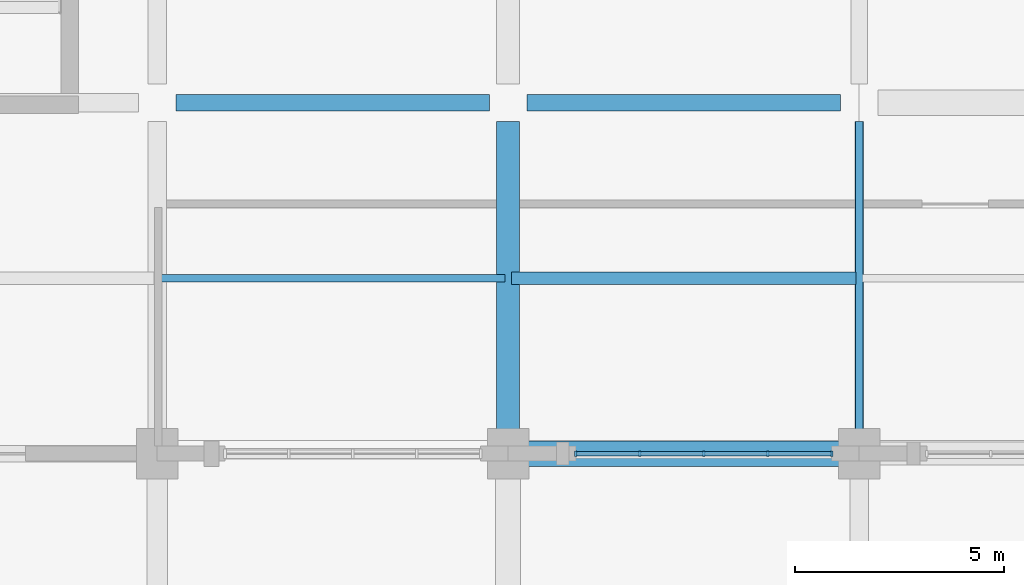
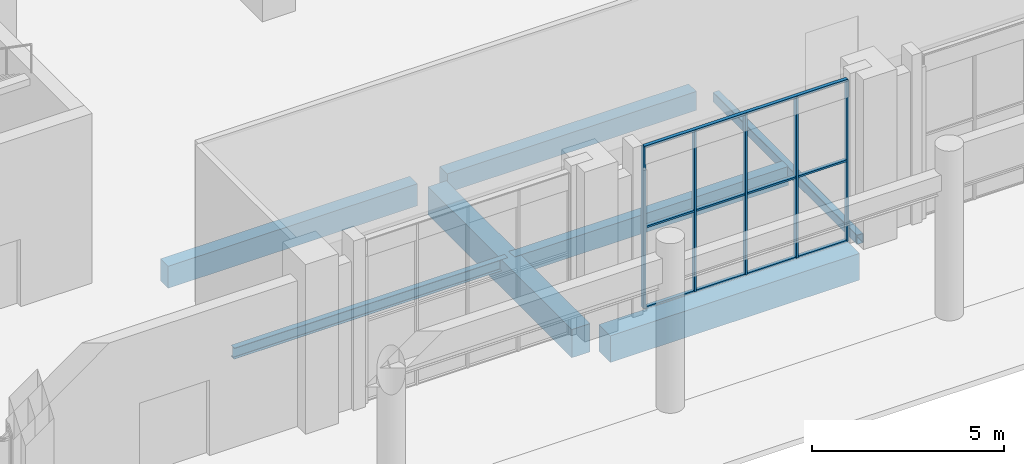
# One storey, part 31 of 82: 8 members, 7 beams, 1 element without a shape of its own.
"""IFC4 building model written with IfcOpenShell, lengths in metres."""

from ifc_helpers import new_model, si_unit, derived_unit, direction, frame, origin, origin_2d, place, context, subcontext, project, spatial, rectangle, hollow_rectangle, i_section, extrude, material, material_profile, profile_set, type_object, element, aggregate, save


model = new_model("IFC4")

# Units and contexts
model_context = context("Model", 3, precision=1e-05, world=origin(), true_north=direction((0.0, 1.0)))
body_context = subcontext(model_context, "Body", "Model", "MODEL_VIEW")
ifc_project = project(units=[si_unit("LENGTHUNIT", "METRE"), si_unit("AREAUNIT", "SQUARE_METRE"), si_unit("VOLUMEUNIT", "CUBIC_METRE"), si_unit("PLANEANGLEUNIT", "RADIAN"), si_unit("MASSUNIT", "GRAM", prefix="KILO"), derived_unit("THERMALTRANSMITTANCEUNIT", [(si_unit("POWERUNIT", "WATT"), 1), (si_unit("LENGTHUNIT", "METRE"), -2), (si_unit("THERMODYNAMICTEMPERATUREUNIT", "KELVIN"), -1)])], contexts=[model_context])

# Site, building, storey
site_placement = place(None, origin())
site = spatial("IfcSite", under=ifc_project, at=site_placement, CompositionType="ELEMENT")
building_placement = place(site_placement, origin())
building = spatial("IfcBuilding", under=site, at=building_placement, Name="Barrovel Congress Hotel", CompositionType="ELEMENT")
storey_placement = place(building_placement, origin())
storey = spatial("IfcBuildingStorey", under=building, at=storey_placement, Name="L00", CompositionType="ELEMENT", Elevation=0.0)

# Beams
ifc_material_1 = material(Name="Concrete C40", Category="concrete")
ifc_material_profile_1 = material_profile(ifc_material_1, rectangle(XDim=0.300048828125, YDim=0.60009765625, at=origin_2d()), Name="RC300x600")
ifc_profile_set_1 = profile_set([ifc_material_profile_1], Name="Concrete C40")
beam_type_1 = type_object("IfcBeamType", Name="BM-RC300x600", PredefinedType="JOIST", material=ifc_profile_set_1)
beam_1_placement = place(storey_placement, frame((117.679931640625, 8.39990234375, -0.6201171875), z_axis=(1.0, 0.0, 0.0), x_axis=(0.0, 1.0, 0.0)))
element("IfcBeam", 1, at=beam_1_placement, inside=storey, type_object=beam_type_1, Name="JST:L00:117.6:8.4", PredefinedType="JOIST", context=body_context, shape_type="SweptSolid", body=[
    extrude(rectangle(XDim=0.300048828125, YDim=0.60009765625, at=origin_2d()), origin(), (0.0, 0.0, 1.0), 8.239990234375),
])
ifc_material_profile_2 = material_profile(ifc_material_1, rectangle(XDim=0.39990234375, YDim=0.60009765625, at=origin_2d()), Name="RC400x600")
ifc_profile_set_2 = profile_set([ifc_material_profile_2], Name="Concrete C40")
beam_type_2 = type_object("IfcBeamType", Name="BM-RC400x600", PredefinedType="BEAM", material=ifc_profile_set_2)
beam_2_placement = place(storey_placement, frame((118.050048828125, 12.60009765625, -0.6201171875), z_axis=(1.0, 0.0, 0.0), x_axis=(0.0, 1.0, 0.0)))
element("IfcBeam", 2, at=beam_2_placement, inside=storey, type_object=beam_type_2, Name="BMX:L00:12.6:117.6-126.0", PredefinedType="BEAM", context=body_context, shape_type="SweptSolid", body=[
    extrude(rectangle(XDim=0.39990234375, YDim=0.60009765625, at=origin_2d()), origin(), (0.0, 0.0, 1.0), 7.5),
])
ifc_material_profile_3 = material_profile(ifc_material_1, rectangle(XDim=0.39990234375, YDim=0.699951171875, at=origin_2d()), Name="RC400x700")
ifc_profile_set_3 = profile_set([ifc_material_profile_3], Name="Concrete C40")
beam_type_3 = type_object("IfcBeamType", Name="BM-RC400x700", PredefinedType="BEAM", material=ifc_profile_set_3)
beam_3_placement = place(storey_placement, frame((109.64990234375, 12.60009765625, -0.669921875), z_axis=(1.0, 0.0, 0.0), x_axis=(0.0, 1.0, 0.0)))
element("IfcBeam", 3, at=beam_3_placement, inside=storey, type_object=beam_type_3, Name="BMX:L00:12.6:109.2-117.6", PredefinedType="BEAM", context=body_context, shape_type="SweptSolid", body=[
    extrude(rectangle(XDim=0.39990234375, YDim=0.699951171875, at=origin_2d()), origin(), (0.0, 0.0, 1.0), 7.5),
])
ifc_material_profile_4 = material_profile(ifc_material_1, rectangle(XDim=0.550048828125, YDim=0.89990234375, at=origin_2d()), Name="RC550x900")
ifc_profile_set_4 = profile_set([ifc_material_profile_4], Name="Concrete C40")
beam_type_4 = type_object("IfcBeamType", Name="BM-RC550x900", PredefinedType="BEAM", material=ifc_profile_set_4)
beam_4_placement = place(storey_placement, frame((117.60009765625, 4.64990234375, -0.77001953125), z_axis=(0.0, 1.0, 0.0), x_axis=(-1.0, 0.0, 0.0)))
element("IfcBeam", 4, at=beam_4_placement, inside=storey, type_object=beam_type_4, Name="BMY:L00:117.6:4.2-12.6", PredefinedType="BEAM", context=body_context, shape_type="SweptSolid", body=[
    extrude(rectangle(XDim=0.550048828125, YDim=0.89990234375, at=origin_2d()), origin(), (0.0, 0.0, 1.0), 7.5),
])
ifc_material_profile_5 = material_profile(ifc_material_1, rectangle(XDim=0.60009765625, YDim=0.85009765625, at=origin_2d()), Name="RC600x850")
ifc_profile_set_5 = profile_set([ifc_material_profile_5], Name="Concrete C40")
beam_type_5 = type_object("IfcBeamType", Name="BM-RC600x850", PredefinedType="BEAM", material=ifc_profile_set_5)
beam_5_placement = place(storey_placement, frame((118.050048828125, 4.199951171875, -0.7451171875), z_axis=(1.0, 0.0, 0.0), x_axis=(0.0, 1.0, 0.0)))
element("IfcBeam", 5, at=beam_5_placement, inside=storey, type_object=beam_type_5, Name="BMX:L00:4.2:117.6-126.0", PredefinedType="BEAM", context=body_context, shape_type="SweptSolid", body=[
    extrude(rectangle(XDim=0.60009765625, YDim=0.85009765625, at=origin_2d()), origin(), (0.0, 0.0, 1.0), 7.5),
])

# Curtain wall, members
ifc_material_2 = material(Name="Anodised Aluminium Alloy 6063-T6", Category="aluminium")
curtain_wall_type = type_object("IfcCurtainWallType", Name="CW-ST-7200x4800", PredefinedType="USERDEFINED", material=ifc_material_2)
curtain_wall_placement = place(storey_placement, origin())
curtain_wall = element("IfcCurtainWall", 6, at=curtain_wall_placement, inside=storey, type_object=curtain_wall_type, Name="CW:L00:S:14", ObjectType="STICK CURTAIN WALL", PredefinedType="USERDEFINED")
ifc_material_profile_6 = material_profile(ifc_material_2, rectangle(XDim=0.06005859375, YDim=0.139892578125, at=origin_2d()), Name="AL-M60x140")
ifc_profile_set_6 = profile_set([ifc_material_profile_6], Name="Anodised Aluminium Alloy 6063-T6")
member_type_1 = type_object("IfcMemberType", Name="CWM-AL-M60x140", PredefinedType="MULLION", material=ifc_profile_set_6)
member_1_placement = place(storey_placement, frame((119.219970703125, 4.199951171875, 0.0), z_axis=(0.0, 0.0, 1.0), x_axis=(1.0, 0.0, 0.0)))
member_1 = element("IfcMember", 7, at=member_1_placement, type_object=member_type_1, Name="CW:L00:S:14:M0", PredefinedType="MULLION", context=body_context, shape_type="SweptSolid", body=[
    extrude(rectangle(XDim=0.06005859375, YDim=0.139892578125, at=origin_2d()), origin(), (0.0, 0.0, 1.0), 5.1201171875),
])
member_2_placement = place(storey_placement, frame((120.75, 4.199951171875, 0.0), z_axis=(0.0, 0.0, 1.0), x_axis=(1.0, 0.0, 0.0)))
member_2 = element("IfcMember", 8, at=member_2_placement, type_object=member_type_1, Name="CW:L00:S:14:M1", PredefinedType="MULLION", context=body_context, shape_type="SweptSolid", body=[
    extrude(rectangle(XDim=0.06005859375, YDim=0.139892578125, at=origin_2d()), origin(), (0.0, 0.0, 1.0), 5.1201171875),
])
member_3_placement = place(storey_placement, frame((122.280029296875, 4.199951171875, 0.0), z_axis=(0.0, 0.0, 1.0), x_axis=(1.0, 0.0, 0.0)))
member_3 = element("IfcMember", 9, at=member_3_placement, type_object=member_type_1, Name="CW:L00:S:14:M2", PredefinedType="MULLION", context=body_context, shape_type="SweptSolid", body=[
    extrude(rectangle(XDim=0.06005859375, YDim=0.139892578125, at=origin_2d()), origin(), (0.0, 0.0, 1.0), 5.1201171875),
])
member_4_placement = place(storey_placement, frame((123.81005859375, 4.199951171875, 0.0), z_axis=(0.0, 0.0, 1.0), x_axis=(1.0, 0.0, 0.0)))
member_4 = element("IfcMember", 10, at=member_4_placement, type_object=member_type_1, Name="CW:L00:S:14:M3", PredefinedType="MULLION", context=body_context, shape_type="SweptSolid", body=[
    extrude(rectangle(XDim=0.06005859375, YDim=0.139892578125, at=origin_2d()), origin(), (0.0, 0.0, 1.0), 5.1201171875),
])
member_5_placement = place(storey_placement, frame((125.340087890625, 4.199951171875, 0.0), z_axis=(0.0, 0.0, 1.0), x_axis=(1.0, 0.0, 0.0)))
member_5 = element("IfcMember", 11, at=member_5_placement, type_object=member_type_1, Name="CW:L00:S:14:M4", PredefinedType="MULLION", context=body_context, shape_type="SweptSolid", body=[
    extrude(rectangle(XDim=0.06005859375, YDim=0.139892578125, at=origin_2d()), origin(), (0.0, 0.0, 1.0), 5.1201171875),
])
ifc_material_profile_7 = material_profile(ifc_material_2, rectangle(XDim=0.10498046875, YDim=0.06005859375, at=origin_2d()), Name="AL-T60x105")
ifc_profile_set_7 = profile_set([ifc_material_profile_7], Name="Anodised Aluminium Alloy 6063-T6")
member_type_2 = type_object("IfcMemberType", Name="CWT-AL-T60x105", PredefinedType="USERDEFINED", material=ifc_profile_set_7)
member_6_placement = place(storey_placement, frame((119.219970703125, 4.199951171875, 0.0), z_axis=(1.0, 0.0, 0.0), x_axis=(0.0, 1.0, 0.0)))
member_6 = element("IfcMember", 12, at=member_6_placement, type_object=member_type_2, Name="CW:L00:S:14:T0", ObjectType="TRANSOM", PredefinedType="USERDEFINED", context=body_context, shape_type="SweptSolid", body=[
    extrude(rectangle(XDim=0.10498046875, YDim=0.06005859375, at=origin_2d()), origin(), (0.0, 0.0, 1.0), 6.1201171875),
])
member_7_placement = place(storey_placement, frame((119.219970703125, 4.199951171875, 2.56005859375), z_axis=(1.0, 0.0, 0.0), x_axis=(0.0, 1.0, 0.0)))
member_7 = element("IfcMember", 13, at=member_7_placement, type_object=member_type_2, Name="CW:L00:S:14:T1", ObjectType="TRANSOM", PredefinedType="USERDEFINED", context=body_context, shape_type="SweptSolid", body=[
    extrude(rectangle(XDim=0.10498046875, YDim=0.06005859375, at=origin_2d()), origin(), (0.0, 0.0, 1.0), 6.1201171875),
])
member_8_placement = place(storey_placement, frame((119.219970703125, 4.199951171875, 5.1201171875), z_axis=(1.0, 0.0, 0.0), x_axis=(0.0, 1.0, 0.0)))
member_8 = element("IfcMember", 14, at=member_8_placement, type_object=member_type_2, Name="CW:L00:S:14:T2", ObjectType="TRANSOM", PredefinedType="USERDEFINED", context=body_context, shape_type="SweptSolid", body=[
    extrude(rectangle(XDim=0.10498046875, YDim=0.06005859375, at=origin_2d()), origin(), (0.0, 0.0, 1.0), 6.1201171875),
])
aggregate(curtain_wall, [member_1, member_2, member_3, member_4, member_5, member_6, member_7, member_8])

# Beams
ifc_material_3 = material(Name="Steel ASTM A500 Grade C", Category="steel")
ifc_material_profile_8 = material_profile(ifc_material_3, hollow_rectangle(XDim=0.203125, YDim=0.3046875, WallThickness=0.01171875, InnerFilletRadius=0.01171875, OuterFilletRadius=0.023681640625, at=origin_2d()), Name="HSS305x203x12.7")
ifc_profile_set_8 = profile_set([ifc_material_profile_8], Name="Steel ASTM A500 Grade C")
beam_type_6 = type_object("IfcBeamType", Name="SBM-HSS305x203x12.7", PredefinedType="SPANDREL", material=ifc_profile_set_8)
beam_6_placement = place(storey_placement, frame((126.0, 4.64990234375, -0.472412109375), z_axis=(0.0, 1.0, 0.0), x_axis=(-1.0, 0.0, 0.0)))
element("IfcBeam", 15, at=beam_6_placement, inside=storey, type_object=beam_type_6, Name="BMY:L00:126.0:4.2-12.6", PredefinedType="SPANDREL", context=body_context, shape_type="SweptSolid", body=[
    extrude(hollow_rectangle(XDim=0.203125, YDim=0.3046875, WallThickness=0.01171875, InnerFilletRadius=0.01171875, OuterFilletRadius=0.023681640625, at=origin_2d()), origin(), (0.0, 0.0, 1.0), 7.5),
])
ifc_material_4 = material(Name="Steel ASTM A992 Grade 50", Category="steel")
ifc_material_profile_9 = material_profile(ifc_material_4, i_section(OverallWidth=0.1708984375, OverallDepth=0.35205078125, WebThickness=0.0068359375, FlangeThickness=0.009765625, FilletRadius=0.011962890625, at=origin_2d()), Name="W360x44")
ifc_profile_set_9 = profile_set([ifc_material_profile_9], Name="Steel ASTM A992 Grade 50")
beam_type_7 = type_object("IfcBeamType", Name="SBM-W360x44", PredefinedType="JOIST", material=ifc_profile_set_9)
beam_7_placement = place(storey_placement, frame((109.280029296875, 8.39990234375, -0.49609375), z_axis=(1.0, 0.0, 0.0), x_axis=(0.0, 1.0, 0.0)))
element("IfcBeam", 16, at=beam_7_placement, inside=storey, type_object=beam_type_7, Name="JST:L00:109.2:8.4", PredefinedType="JOIST", context=body_context, shape_type="SweptSolid", body=[
    extrude(i_section(OverallWidth=0.1708984375, OverallDepth=0.35205078125, WebThickness=0.0068359375, FlangeThickness=0.009765625, FilletRadius=0.011962890625, at=origin_2d()), origin(), (0.0, 0.0, 1.0), 8.239990234375),
])

save(model, "model.ifc")
